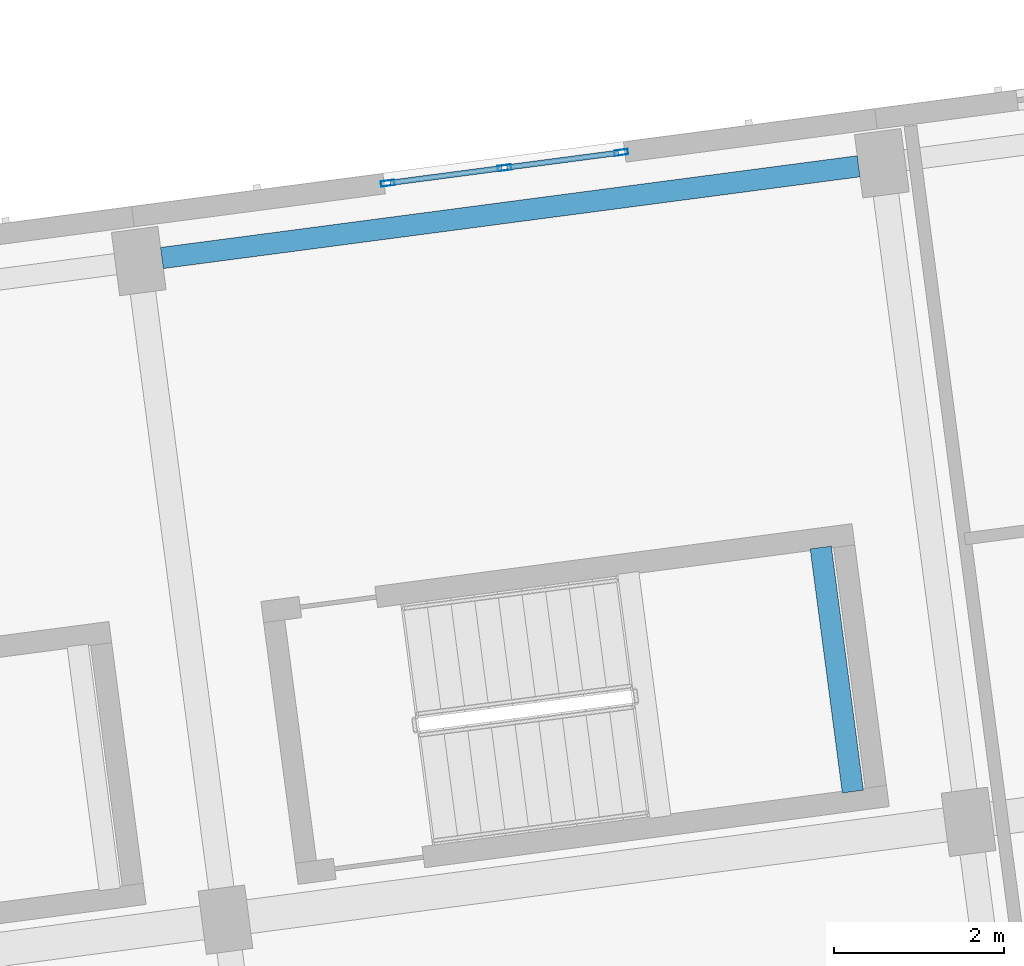
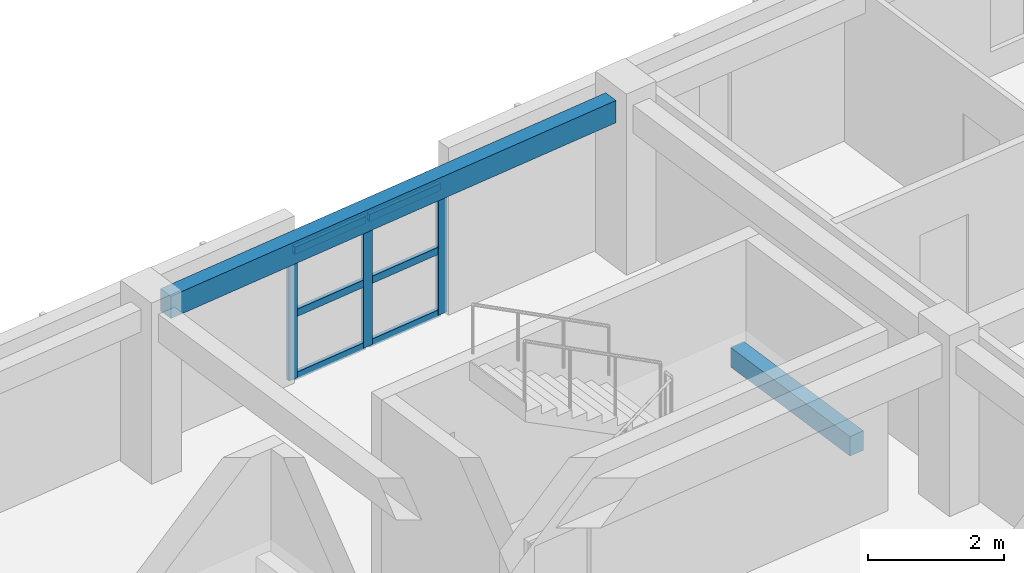
# One storey, part 4 of 66: 9 members, 2 beams, 1 element without a shape of its own.
"""IFC4 building model written with IfcOpenShell, lengths in metres."""

from ifc_helpers import new_model, si_unit, direction, frame, origin, origin_2d, place, context, subcontext, project, spatial, rectangle, hollow_rectangle, extrude, material, material_profile, profile_set, type_object, element, aggregate, save


model = new_model("IFC4")

# Units and contexts
model_context = context("Model", 3, precision=1e-05, world=origin(), true_north=direction((0.0, 1.0)))
body_context = subcontext(model_context, "Body", "Model", "MODEL_VIEW")
ifc_project = project(units=[si_unit("LENGTHUNIT", "METRE"), si_unit("AREAUNIT", "SQUARE_METRE"), si_unit("VOLUMEUNIT", "CUBIC_METRE"), si_unit("PLANEANGLEUNIT", "RADIAN"), si_unit("MASSUNIT", "GRAM", prefix="KILO")], contexts=[model_context])

# Site, building, storey
site_placement = place(None, origin())
site = spatial("IfcSite", under=ifc_project, at=site_placement, CompositionType="ELEMENT")
building_placement = place(site_placement, origin())
building = spatial("IfcBuilding", under=site, at=building_placement, Name="Kestramere Prow Commons", CompositionType="ELEMENT")
storey_placement = place(building_placement, frame((0.0, 0.0, 14.89990234375)))
storey = spatial("IfcBuildingStorey", under=building, at=storey_placement, Name="L04", CompositionType="ELEMENT", Elevation=14.89990234375)

# Beam
ifc_material_1 = material(Name="Concrete C40/50", Category="concrete")
ifc_material_profile_1 = material_profile(ifc_material_1, rectangle(XDim=0.25, YDim=0.35009765625, at=origin_2d()), Name="PC-BM 250x350")
ifc_profile_set_1 = profile_set([ifc_material_profile_1], Name="Concrete C40/50")
beam_type_1 = type_object("IfcBeamType", Name="BM-ST-TRIM", PredefinedType="BEAM", material=ifc_profile_set_1)
beam_1_placement = place(storey_placement, frame((34.423583984375, 87.897216796875, 1.25), z_axis=(-0.130509140242, 0.99144710616, 0.0), x_axis=(-0.99144710616, -0.130509140242, 0.0)))
element("IfcBeam", 1, at=beam_1_placement, inside=storey, type_object=beam_type_1, Name="ST-A2 L04 Landing Trimmer Beam 1B", PredefinedType="BEAM", context=body_context, shape_type="SweptSolid", body=[
    extrude(rectangle(XDim=0.25, YDim=0.35009765625, at=origin_2d()), origin(), (0.0, 0.0, 1.0), 2.89013671875),
])

# Curtain wall, members
ifc_material_2 = material(Name="Anodised Aluminium and Low-E Glass", Category="aluminium")
curtain_wall_type = type_object("IfcCurtainWallType", Name="CW-03 Glazed Curtain Wall 2830x2320", PredefinedType="USERDEFINED", material=ifc_material_2)
curtain_wall_placement = place(storey_placement, origin())
curtain_wall = element("IfcCurtainWall", 2, at=curtain_wall_placement, inside=storey, type_object=curtain_wall_type, Name="Block A L04 Stairwell Vertical Glazing 3", ObjectType="GLAZED CURTAIN WALL", PredefinedType="USERDEFINED")
ifc_material_3 = material(Name="Anodised Aluminium 6063-T6", Category="aluminium")
ifc_material_profile_2 = material_profile(ifc_material_3, hollow_rectangle(XDim=0.06494140625, YDim=0.159912109375, WallThickness=0.00390625, at=origin_2d()), Name="ALU-MUL 65x160")
ifc_profile_set_2 = profile_set([ifc_material_profile_2], Name="Anodised Aluminium 6063-T6")
member_type_1 = type_object("IfcMemberType", Name="CW-MUL-65x160", PredefinedType="MULLION", material=ifc_profile_set_2)
member_1_placement = place(storey_placement, frame((28.962158203125, 95.04052734375, 0.0), z_axis=(0.0, 0.0, 1.0), x_axis=(-0.130526494555, 0.991444821571, 0.0)))
member_1 = element("IfcMember", 3, at=member_1_placement, type_object=member_type_1, Name="CW-03 mullion 1", PredefinedType="MULLION", context=body_context, shape_type="SweptSolid", body=[
    extrude(hollow_rectangle(XDim=0.06494140625, YDim=0.159912109375, WallThickness=0.00390625, at=origin_2d()), origin(), (0.0, 0.0, 1.0), 2.320068359375),
])
member_2_placement = place(storey_placement, frame((30.332763671875, 95.220947265625, 0.0), z_axis=(0.0, 0.0, 1.0), x_axis=(-0.130526494555, 0.991444821571, 0.0)))
member_2 = element("IfcMember", 4, at=member_2_placement, type_object=member_type_1, Name="CW-03 mullion 2", PredefinedType="MULLION", context=body_context, shape_type="SweptSolid", body=[
    extrude(hollow_rectangle(XDim=0.06494140625, YDim=0.159912109375, WallThickness=0.00390625, at=origin_2d()), origin(), (0.0, 0.0, 1.0), 2.320068359375),
])
member_3_placement = place(storey_placement, frame((31.703369140625, 95.4013671875, 0.0), z_axis=(0.0, 0.0, 1.0), x_axis=(-0.130526494555, 0.991444821571, 0.0)))
member_3 = element("IfcMember", 5, at=member_3_placement, type_object=member_type_1, Name="CW-03 mullion 3", PredefinedType="MULLION", context=body_context, shape_type="SweptSolid", body=[
    extrude(hollow_rectangle(XDim=0.06494140625, YDim=0.159912109375, WallThickness=0.00390625, at=origin_2d()), origin(), (0.0, 0.0, 1.0), 2.320068359375),
])
ifc_material_profile_3 = material_profile(ifc_material_3, hollow_rectangle(XDim=0.06494140625, YDim=0.1298828125, WallThickness=0.00390625, at=origin_2d()), Name="ALU-TRN 65x130")
ifc_profile_set_3 = profile_set([ifc_material_profile_3], Name="Anodised Aluminium 6063-T6")
member_type_2 = type_object("IfcMemberType", Name="CW-TRN-65x130", PredefinedType="USERDEFINED", material=ifc_profile_set_3)
member_4_placement = place(storey_placement, frame((28.994384765625, 95.044677734375, 0.03271484375), z_axis=(0.99142904707, 0.130646257605, 0.0), x_axis=(-0.130646257605, 0.99142904707, 0.0)))
member_4 = element("IfcMember", 6, at=member_4_placement, type_object=member_type_2, Name="CW-03 transom 1.1", ObjectType="TRANSOM", PredefinedType="USERDEFINED", context=body_context, shape_type="SweptSolid", body=[
    extrude(hollow_rectangle(XDim=0.06494140625, YDim=0.1298828125, WallThickness=0.00390625, at=origin_2d()), origin(), (0.0, 0.0, 1.0), 1.3173828125),
])
member_5_placement = place(storey_placement, frame((28.994384765625, 95.044677734375, 1.16015625), z_axis=(0.99142904707, 0.130646257605, 0.0), x_axis=(-0.130646257605, 0.99142904707, 0.0)))
member_5 = element("IfcMember", 7, at=member_5_placement, type_object=member_type_2, Name="CW-03 transom 1.2", ObjectType="TRANSOM", PredefinedType="USERDEFINED", context=body_context, shape_type="SweptSolid", body=[
    extrude(hollow_rectangle(XDim=0.06494140625, YDim=0.1298828125, WallThickness=0.00390625, at=origin_2d()), origin(), (0.0, 0.0, 1.0), 1.3173828125),
])
member_6_placement = place(storey_placement, frame((28.994384765625, 95.044677734375, 2.28759765625), z_axis=(0.99142904707, 0.130646257605, 0.0), x_axis=(-0.130646257605, 0.99142904707, 0.0)))
member_6 = element("IfcMember", 8, at=member_6_placement, type_object=member_type_2, Name="CW-03 transom 1.3", ObjectType="TRANSOM", PredefinedType="USERDEFINED", context=body_context, shape_type="SweptSolid", body=[
    extrude(hollow_rectangle(XDim=0.06494140625, YDim=0.1298828125, WallThickness=0.00390625, at=origin_2d()), origin(), (0.0, 0.0, 1.0), 1.3173828125),
])
member_7_placement = place(storey_placement, frame((30.364990234375, 95.225341796875, 0.03271484375), z_axis=(0.991453033969, 0.130464100171, 0.0), x_axis=(-0.130464100171, 0.991453033969, 0.0)))
member_7 = element("IfcMember", 9, at=member_7_placement, type_object=member_type_2, Name="CW-03 transom 2.1", ObjectType="TRANSOM", PredefinedType="USERDEFINED", context=body_context, shape_type="SweptSolid", body=[
    extrude(hollow_rectangle(XDim=0.06494140625, YDim=0.1298828125, WallThickness=0.00390625, at=origin_2d()), origin(), (0.0, 0.0, 1.0), 1.3173828125),
])
member_8_placement = place(storey_placement, frame((30.364990234375, 95.225341796875, 1.16015625), z_axis=(0.991453033969, 0.130464100171, 0.0), x_axis=(-0.130464100171, 0.991453033969, 0.0)))
member_8 = element("IfcMember", 10, at=member_8_placement, type_object=member_type_2, Name="CW-03 transom 2.2", ObjectType="TRANSOM", PredefinedType="USERDEFINED", context=body_context, shape_type="SweptSolid", body=[
    extrude(hollow_rectangle(XDim=0.06494140625, YDim=0.1298828125, WallThickness=0.00390625, at=origin_2d()), origin(), (0.0, 0.0, 1.0), 1.3173828125),
])
member_9_placement = place(storey_placement, frame((30.364990234375, 95.225341796875, 2.28759765625), z_axis=(0.991453033969, 0.130464100171, 0.0), x_axis=(-0.130464100171, 0.991453033969, 0.0)))
member_9 = element("IfcMember", 11, at=member_9_placement, type_object=member_type_2, Name="CW-03 transom 2.3", ObjectType="TRANSOM", PredefinedType="USERDEFINED", context=body_context, shape_type="SweptSolid", body=[
    extrude(hollow_rectangle(XDim=0.06494140625, YDim=0.1298828125, WallThickness=0.00390625, at=origin_2d()), origin(), (0.0, 0.0, 1.0), 1.3173828125),
])
aggregate(curtain_wall, [member_1, member_2, member_3, member_4, member_5, member_6, member_7, member_8, member_9])

# Beam
ifc_material_4 = material(Name="Precast concrete C40/50", Category="concrete")
ifc_material_profile_4 = material_profile(ifc_material_4, rectangle(XDim=0.25, YDim=0.39990234375, at=origin_2d()), Name="PC-SP 250x400")
ifc_profile_set_4 = profile_set([ifc_material_profile_4], Name="Precast concrete C40/50")
beam_type_2 = type_object("IfcBeamType", Name="SP-EXT-01 PC-SP 250x400", PredefinedType="SPANDREL", material=ifc_profile_set_4)
beam_2_placement = place(storey_placement, frame((26.3115234375, 94.162109375, 2.800048828125), z_axis=(0.991443917843, 0.130533358852, 0.0), x_axis=(-0.130533358852, 0.991443917843, 0.0)))
element("IfcBeam", 12, at=beam_2_placement, inside=storey, type_object=beam_type_2, Name="Block A L04 Longitudinal Beam 4-3", PredefinedType="SPANDREL", context=body_context, shape_type="SweptSolid", body=[
    extrude(rectangle(XDim=0.25, YDim=0.39990234375, at=origin_2d()), origin(), (0.0, 0.0, 1.0), 8.25),
])

save(model, "model.ifc")
